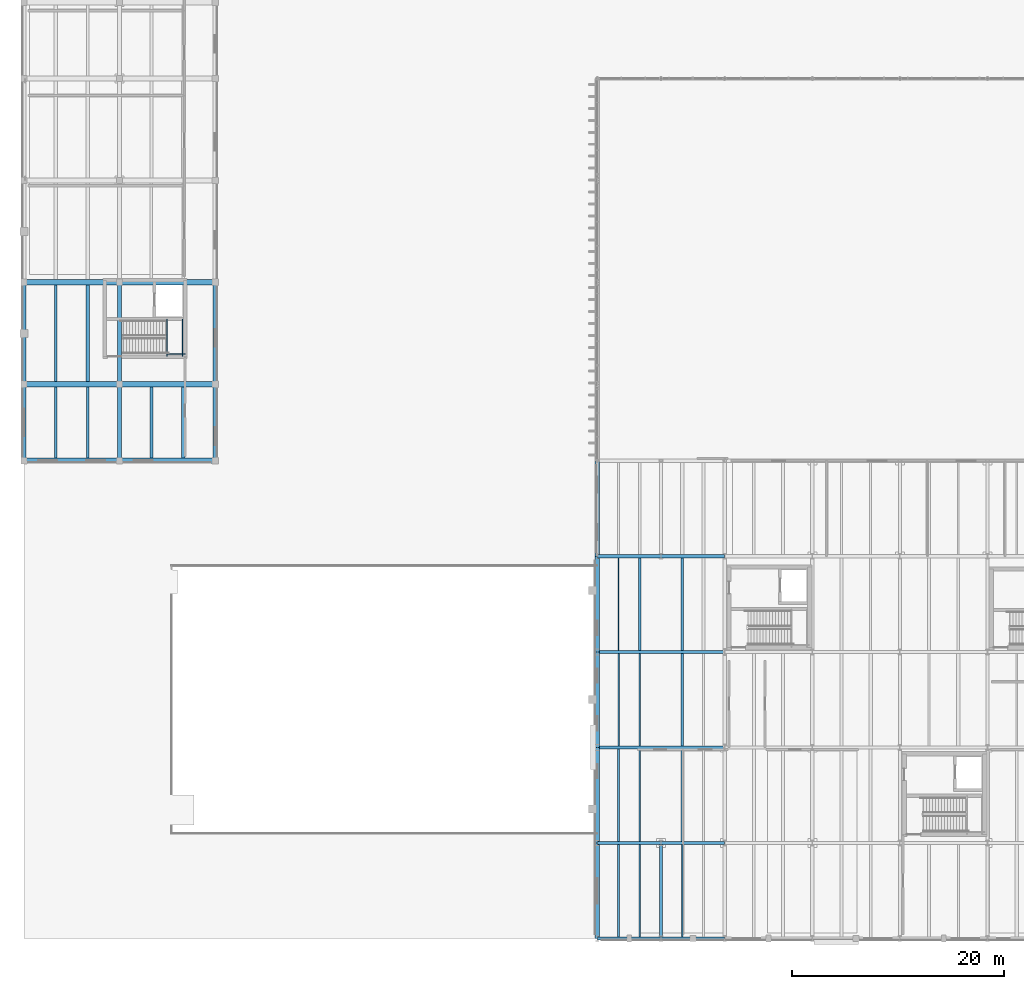
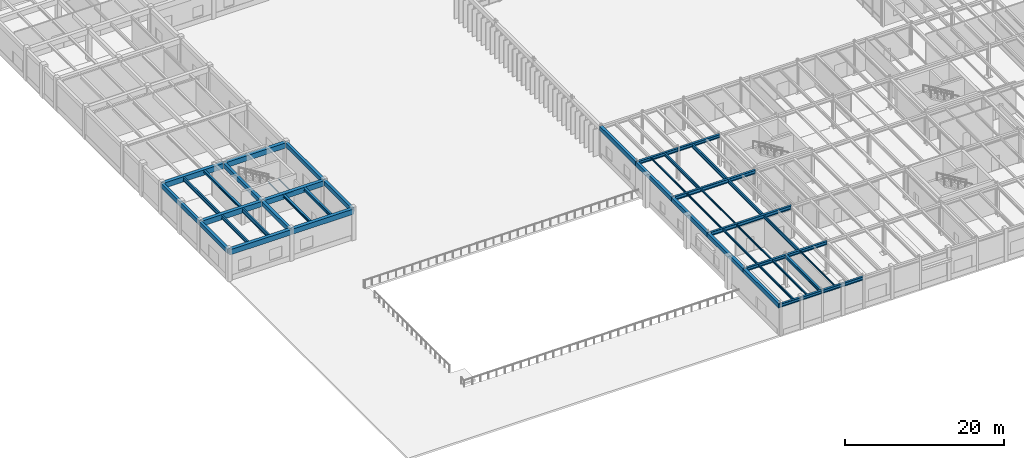
# One storey, part 17 of 64: 47 beams.
"""IFC4 building model written with IfcOpenShell, lengths in metres."""

from ifc_helpers import new_model, si_unit, direction, frame, origin, origin_2d, place, context, subcontext, project, spatial, rectangle, i_section, extrude, material, material_profile, profile_set, type_object, element, save


model = new_model("IFC4")

# Units and contexts
model_context = context("Model", 3, precision=1e-05, world=origin(), true_north=direction((0.0, 1.0)))
body_context = subcontext(model_context, "Body", "Model", "MODEL_VIEW")
ifc_project = project(units=[si_unit("LENGTHUNIT", "METRE"), si_unit("AREAUNIT", "SQUARE_METRE"), si_unit("VOLUMEUNIT", "CUBIC_METRE"), si_unit("PLANEANGLEUNIT", "RADIAN"), si_unit("MASSUNIT", "GRAM", prefix="KILO")], contexts=[model_context])

# Site, building, storey
site_placement = place(None, origin())
site = spatial("IfcSite", under=ifc_project, at=site_placement, CompositionType="ELEMENT")
building_placement = place(site_placement, origin())
building = spatial("IfcBuilding", under=site, at=building_placement, Name="Montealbar Specialist Clinic", CompositionType="ELEMENT")
storey_placement = place(building_placement, origin())
storey = spatial("IfcBuildingStorey", under=building, at=storey_placement, Name="L00", CompositionType="ELEMENT", Elevation=0.0)

# Beams
ifc_material_1 = material(Name="Steel S355", Category="steel")
ifc_material_profile_1 = material_profile(ifc_material_1, i_section(OverallWidth=0.300048828125, OverallDepth=0.5, WebThickness=0.014404296875, FlangeThickness=0.028076171875, FilletRadius=0.027099609375, at=origin_2d()), Name="HEB 500", Category="steel")
ifc_profile_set_1 = profile_set([ifc_material_profile_1], Name="Steel S355")
beam_type_1 = type_object("IfcBeamType", Name="BM-GIRD-HEB500", PredefinedType="BEAM", material=ifc_profile_set_1)
for number, where, z_axis, x_axis, name in (
    (1, (54.0, 9.0, 4.56005859375), (1.0, 0.0, 0.0), (0.0, 1.0, 0.0), "Beam GX-L00-540-600-90"),
    (2, (60.0, 9.0, 4.56005859375), (1.0, 0.0, 0.0), (0.0, 1.0, 0.0), "Beam GX-L00-600-660-90"),
    (3, (54.0, 36.0, 4.56005859375), (1.0, 0.0, 0.0), (0.0, 1.0, 0.0), "Beam GX-L00-540-600-360"),
    (4, (60.0, 36.0, 4.56005859375), (1.0, 0.0, 0.0), (0.0, 1.0, 0.0), "Beam GX-L00-600-660-360"),
):
    element("IfcBeam", number, at=place(storey_placement, frame(where, z_axis=z_axis, x_axis=x_axis)), inside=storey, type_object=beam_type_1, Name=name, PredefinedType="BEAM", context=body_context, shape_type="SweptSolid", body=[
        extrude(i_section(OverallWidth=0.300048828125, OverallDepth=0.5, WebThickness=0.014404296875, FlangeThickness=0.028076171875, FilletRadius=0.027099609375, at=origin_2d()), origin(), (0.0, 0.0, 1.0), 6.0),
    ])
beam_1_placement = place(storey_placement, frame((60.0, 0.0, 4.56005859375), z_axis=(0.0, 1.0, 0.0), x_axis=(-1.0, 0.0, 0.0)))
element("IfcBeam", 5, at=beam_1_placement, inside=storey, type_object=beam_type_1, Name="Beam GY-L00-600-0-90", PredefinedType="BEAM", context=body_context, shape_type="SweptSolid", body=[
    extrude(i_section(OverallWidth=0.300048828125, OverallDepth=0.5, WebThickness=0.014404296875, FlangeThickness=0.028076171875, FilletRadius=0.027099609375, at=origin_2d()), origin(), (0.0, 0.0, 1.0), 9.0),
])
ifc_material_profile_2 = material_profile(ifc_material_1, i_section(OverallWidth=0.300048828125, OverallDepth=0.5, WebThickness=0.014404296875, FlangeThickness=0.028076171875, FilletRadius=0.027099609375, at=origin_2d()), Name="HEB 500", Category="steel")
ifc_profile_set_2 = profile_set([ifc_material_profile_2], Name="Steel S355")
beam_type_2 = type_object("IfcBeamType", Name="BM-GIRD-HEB500-EXT", PredefinedType="BEAM", material=ifc_profile_set_2)
for number, where, z_axis, x_axis, name in (
    (6, (54.0, 0.0, 4.56005859375), (1.0, 0.0, 0.0), (0.0, 1.0, 0.0), "Beam GX-L00-540-600-0"),
    (7, (60.0, 0.0, 4.56005859375), (1.0, 0.0, 0.0), (0.0, 1.0, 0.0), "Beam GX-L00-600-660-0"),
):
    element("IfcBeam", number, at=place(storey_placement, frame(where, z_axis=z_axis, x_axis=x_axis)), inside=storey, type_object=beam_type_2, Name=name, PredefinedType="BEAM", context=body_context, shape_type="SweptSolid", body=[
        extrude(i_section(OverallWidth=0.300048828125, OverallDepth=0.5, WebThickness=0.014404296875, FlangeThickness=0.028076171875, FilletRadius=0.027099609375, at=origin_2d()), origin(), (0.0, 0.0, 1.0), 6.0),
    ])
ifc_material_profile_3 = material_profile(ifc_material_1, i_section(OverallWidth=0.300048828125, OverallDepth=0.550048828125, WebThickness=0.014892578125, FlangeThickness=0.029052734375, FilletRadius=0.027099609375, at=origin_2d()), Name="HEB 550", Category="steel")
ifc_profile_set_3 = profile_set([ifc_material_profile_3], Name="Steel S355")
beam_type_3 = type_object("IfcBeamType", Name="BM-GIRD-HEB550", PredefinedType="BEAM", material=ifc_profile_set_3)
for number, where, z_axis, x_axis, name in (
    (8, (54.0, 18.0, 4.534912109375), (1.0, 0.0, 0.0), (0.0, 1.0, 0.0), "Beam GX-L00-540-660-180"),
    (9, (54.0, 27.0, 4.534912109375), (1.0, 0.0, 0.0), (0.0, 1.0, 0.0), "Beam GX-L00-540-660-270"),
):
    element("IfcBeam", number, at=place(storey_placement, frame(where, z_axis=z_axis, x_axis=x_axis)), inside=storey, type_object=beam_type_3, Name=name, PredefinedType="BEAM", context=body_context, shape_type="SweptSolid", body=[
        extrude(i_section(OverallWidth=0.300048828125, OverallDepth=0.550048828125, WebThickness=0.014892578125, FlangeThickness=0.029052734375, FilletRadius=0.027099609375, at=origin_2d()), origin(), (0.0, 0.0, 1.0), 12.0),
    ])
ifc_material_profile_4 = material_profile(ifc_material_1, i_section(OverallWidth=0.300048828125, OverallDepth=0.35009765625, WebThickness=0.010009765625, FlangeThickness=0.017578125, FilletRadius=0.027099609375, at=origin_2d()), Name="HEA 360", Category="steel")
ifc_profile_set_4 = profile_set([ifc_material_profile_4], Name="Steel S355")
beam_type_4 = type_object("IfcBeamType", Name="BM-JST-HEA360", PredefinedType="JOIST", material=ifc_profile_set_4)
beam_2_placement = place(storey_placement, frame((6.0, 52.449951171875, 4.635009765625), z_axis=(0.0, 1.0, 0.0), x_axis=(-1.0, 0.0, 0.0)))
element("IfcBeam", 10, at=beam_2_placement, inside=storey, type_object=beam_type_4, Name="Beam JST-L00-60-524-616", PredefinedType="JOIST", context=body_context, shape_type="SweptSolid", body=[
    extrude(i_section(OverallWidth=0.300048828125, OverallDepth=0.35009765625, WebThickness=0.010009765625, FlangeThickness=0.017578125, FilletRadius=0.027099609375, at=origin_2d()), origin(), (0.0, 0.0, 1.0), 9.10009765625),
])
ifc_material_profile_5 = material_profile(ifc_material_1, i_section(OverallWidth=0.300048828125, OverallDepth=0.43994140625, WebThickness=0.011474609375, FlangeThickness=0.02099609375, FilletRadius=0.027099609375, at=origin_2d()), Name="HEA 450", Category="steel")
ifc_profile_set_5 = profile_set([ifc_material_profile_5], Name="Steel S355")
beam_type_5 = type_object("IfcBeamType", Name="BM-JST-HEA450", PredefinedType="JOIST", material=ifc_profile_set_5)
beam_3_placement = place(storey_placement, frame((12.0, 45.25, 4.590087890625), z_axis=(0.0, 1.0, 0.0), x_axis=(-1.0, 0.0, 0.0)))
element("IfcBeam", 11, at=beam_3_placement, inside=storey, type_object=beam_type_5, Name="Beam JST-L00-120-452-520", PredefinedType="JOIST", context=body_context, shape_type="SweptSolid", body=[
    extrude(i_section(OverallWidth=0.300048828125, OverallDepth=0.43994140625, WebThickness=0.011474609375, FlangeThickness=0.02099609375, FilletRadius=0.027099609375, at=origin_2d()), origin(), (0.0, 0.0, 1.0), 6.699951171875),
])
ifc_material_profile_6 = material_profile(ifc_material_1, i_section(OverallWidth=0.300048828125, OverallDepth=0.489990234375, WebThickness=0.011962890625, FlangeThickness=0.02294921875, FilletRadius=0.027099609375, at=origin_2d()), Name="HEA 500", Category="steel")
ifc_profile_set_6 = profile_set([ifc_material_profile_6], Name="Steel S355")
beam_type_6 = type_object("IfcBeamType", Name="BM-JST-HEA500", PredefinedType="JOIST", material=ifc_profile_set_6)
beam_4_placement = place(storey_placement, frame((15.0, 45.25, 4.56494140625), z_axis=(0.0, 1.0, 0.0), x_axis=(-1.0, 0.0, 0.0)))
element("IfcBeam", 12, at=beam_4_placement, inside=storey, type_object=beam_type_6, Name="Beam JST-L00-150-452-520", PredefinedType="JOIST", context=body_context, shape_type="SweptSolid", body=[
    extrude(i_section(OverallWidth=0.300048828125, OverallDepth=0.489990234375, WebThickness=0.011962890625, FlangeThickness=0.02294921875, FilletRadius=0.027099609375, at=origin_2d()), origin(), (0.0, 0.0, 1.0), 6.699951171875),
])
ifc_material_profile_7 = material_profile(ifc_material_1, i_section(OverallWidth=0.1201171875, OverallDepth=0.239990234375, WebThickness=0.006103515625, FlangeThickness=0.009765625, FilletRadius=0.014892578125, at=origin_2d()), Name="IPE 240", Category="steel")
ifc_profile_set_7 = profile_set([ifc_material_profile_7], Name="Steel S355")
beam_type_7 = type_object("IfcBeamType", Name="BM-JST-IPE240", PredefinedType="JOIST", material=ifc_profile_set_7)
for number, where, z_axis, x_axis, name in (
    (13, (58.0, 18.14990234375, 4.68994140625), (0.0, 1.0, 0.0), (-1.0, 0.0, 0.0), "Beam JST-L00-580-182-268"),
    (14, (56.0, 27.14990234375, 4.68994140625), (0.0, 1.0, 0.0), (-1.0, 0.0, 0.0), "Beam JST-L00-560-272-358"),
    (15, (62.0, 0.14990234375, 4.68994140625), (0.0, 1.0, 0.0), (-1.0, 0.0, 0.0), "Beam JST-L00-620-2-88"),
):
    element("IfcBeam", number, at=place(storey_placement, frame(where, z_axis=z_axis, x_axis=x_axis)), inside=storey, type_object=beam_type_7, Name=name, PredefinedType="JOIST", context=body_context, shape_type="SweptSolid", body=[
        extrude(i_section(OverallWidth=0.1201171875, OverallDepth=0.239990234375, WebThickness=0.006103515625, FlangeThickness=0.009765625, FilletRadius=0.014892578125, at=origin_2d()), origin(), (0.0, 0.0, 1.0), 8.7001953125),
    ])
ifc_material_profile_8 = material_profile(ifc_material_1, i_section(OverallWidth=0.135009765625, OverallDepth=0.27001953125, WebThickness=0.006591796875, FlangeThickness=0.01025390625, FilletRadius=0.014892578125, at=origin_2d()), Name="IPE 270", Category="steel")
ifc_profile_set_8 = profile_set([ifc_material_profile_8], Name="Steel S355")
beam_type_8 = type_object("IfcBeamType", Name="BM-JST-IPE270", PredefinedType="JOIST", material=ifc_profile_set_8)
for number, where, z_axis, x_axis, name in (
    (16, (58.0, 9.14990234375, 4.675048828125), (0.0, 1.0, 0.0), (-1.0, 0.0, 0.0), "Beam JST-L00-580-92-178"),
    (17, (56.0, 18.14990234375, 4.675048828125), (0.0, 1.0, 0.0), (-1.0, 0.0, 0.0), "Beam JST-L00-560-182-268"),
):
    element("IfcBeam", number, at=place(storey_placement, frame(where, z_axis=z_axis, x_axis=x_axis)), inside=storey, type_object=beam_type_8, Name=name, PredefinedType="JOIST", context=body_context, shape_type="SweptSolid", body=[
        extrude(i_section(OverallWidth=0.135009765625, OverallDepth=0.27001953125, WebThickness=0.006591796875, FlangeThickness=0.01025390625, FilletRadius=0.014892578125, at=origin_2d()), origin(), (0.0, 0.0, 1.0), 8.7001953125),
    ])
ifc_material_profile_9 = material_profile(ifc_material_1, i_section(OverallWidth=0.14990234375, OverallDepth=0.300048828125, WebThickness=0.007080078125, FlangeThickness=0.0107421875, FilletRadius=0.014892578125, at=origin_2d()), Name="IPE 300", Category="steel")
ifc_profile_set_9 = profile_set([ifc_material_profile_9], Name="Steel S355")
beam_type_9 = type_object("IfcBeamType", Name="BM-JST-IPE300", PredefinedType="JOIST", material=ifc_profile_set_9)
for number, where, z_axis, x_axis, name in (
    (18, (58.0, 0.14990234375, 4.659912109375), (0.0, 1.0, 0.0), (-1.0, 0.0, 0.0), "Beam JST-L00-580-2-88"),
    (19, (56.0, 9.14990234375, 4.659912109375), (0.0, 1.0, 0.0), (-1.0, 0.0, 0.0), "Beam JST-L00-560-92-178"),
):
    element("IfcBeam", number, at=place(storey_placement, frame(where, z_axis=z_axis, x_axis=x_axis)), inside=storey, type_object=beam_type_9, Name=name, PredefinedType="JOIST", context=body_context, shape_type="SweptSolid", body=[
        extrude(i_section(OverallWidth=0.14990234375, OverallDepth=0.300048828125, WebThickness=0.007080078125, FlangeThickness=0.0107421875, FilletRadius=0.014892578125, at=origin_2d()), origin(), (0.0, 0.0, 1.0), 8.7001953125),
    ])
ifc_material_profile_10 = material_profile(ifc_material_1, i_section(OverallWidth=0.159912109375, OverallDepth=0.330078125, WebThickness=0.007568359375, FlangeThickness=0.011474609375, FilletRadius=0.01806640625, at=origin_2d()), Name="IPE 330", Category="steel")
ifc_profile_set_10 = profile_set([ifc_material_profile_10], Name="Steel S355")
beam_type_10 = type_object("IfcBeamType", Name="BM-JST-IPE330", PredefinedType="JOIST", material=ifc_profile_set_10)
beam_5_placement = place(storey_placement, frame((56.0, 0.14990234375, 4.64501953125), z_axis=(0.0, 1.0, 0.0), x_axis=(-1.0, 0.0, 0.0)))
element("IfcBeam", 20, at=beam_5_placement, inside=storey, type_object=beam_type_10, Name="Beam JST-L00-560-2-88", PredefinedType="JOIST", context=body_context, shape_type="SweptSolid", body=[
    extrude(i_section(OverallWidth=0.159912109375, OverallDepth=0.330078125, WebThickness=0.007568359375, FlangeThickness=0.011474609375, FilletRadius=0.01806640625, at=origin_2d()), origin(), (0.0, 0.0, 1.0), 8.7001953125),
])
ifc_material_profile_11 = material_profile(ifc_material_1, i_section(OverallWidth=0.199951171875, OverallDepth=0.5, WebThickness=0.01025390625, FlangeThickness=0.01611328125, FilletRadius=0.02099609375, at=origin_2d()), Name="IPE 500", Category="steel")
ifc_profile_set_11 = profile_set([ifc_material_profile_11], Name="Steel S355")
beam_type_11 = type_object("IfcBeamType", Name="BM-JST-IPE500", PredefinedType="JOIST", material=ifc_profile_set_11)
for number, where, z_axis, x_axis, name in (
    (21, (58.0, 27.14990234375, 4.56005859375), (0.0, 1.0, 0.0), (-1.0, 0.0, 0.0), "Beam JST-L00-580-272-358"),
    (22, (62.0, 9.14990234375, 4.56005859375), (0.0, 1.0, 0.0), (-1.0, 0.0, 0.0), "Beam JST-L00-620-92-178"),
):
    element("IfcBeam", number, at=place(storey_placement, frame(where, z_axis=z_axis, x_axis=x_axis)), inside=storey, type_object=beam_type_11, Name=name, PredefinedType="JOIST", context=body_context, shape_type="SweptSolid", body=[
        extrude(i_section(OverallWidth=0.199951171875, OverallDepth=0.5, WebThickness=0.01025390625, FlangeThickness=0.01611328125, FilletRadius=0.02099609375, at=origin_2d()), origin(), (0.0, 0.0, 1.0), 8.7001953125),
    ])
ifc_material_profile_12 = material_profile(ifc_material_1, i_section(OverallWidth=0.2099609375, OverallDepth=0.550048828125, WebThickness=0.010986328125, FlangeThickness=0.01708984375, FilletRadius=0.02392578125, at=origin_2d()), Name="IPE 550", Category="steel")
ifc_profile_set_12 = profile_set([ifc_material_profile_12], Name="Steel S355")
beam_type_12 = type_object("IfcBeamType", Name="BM-JST-IPE550", PredefinedType="JOIST", material=ifc_profile_set_12)
beam_6_placement = place(storey_placement, frame((3.0, 45.25, 4.534912109375), z_axis=(0.0, 1.0, 0.0), x_axis=(-1.0, 0.0, 0.0)))
element("IfcBeam", 23, at=beam_6_placement, inside=storey, type_object=beam_type_12, Name="Beam JST-L00-30-452-520", PredefinedType="JOIST", context=body_context, shape_type="SweptSolid", body=[
    extrude(i_section(OverallWidth=0.2099609375, OverallDepth=0.550048828125, WebThickness=0.010986328125, FlangeThickness=0.01708984375, FilletRadius=0.02392578125, at=origin_2d()), origin(), (0.0, 0.0, 1.0), 6.699951171875),
])
beam_7_placement = place(storey_placement, frame((62.0, 18.14990234375, 4.534912109375), z_axis=(0.0, 1.0, 0.0), x_axis=(-1.0, 0.0, 0.0)))
element("IfcBeam", 24, at=beam_7_placement, inside=storey, type_object=beam_type_12, Name="Beam JST-L00-620-182-268", PredefinedType="JOIST", context=body_context, shape_type="SweptSolid", body=[
    extrude(i_section(OverallWidth=0.2099609375, OverallDepth=0.550048828125, WebThickness=0.010986328125, FlangeThickness=0.01708984375, FilletRadius=0.02392578125, at=origin_2d()), origin(), (0.0, 0.0, 1.0), 8.7001953125),
])
ifc_material_profile_13 = material_profile(ifc_material_1, i_section(OverallWidth=0.219970703125, OverallDepth=0.60009765625, WebThickness=0.011962890625, FlangeThickness=0.01904296875, FilletRadius=0.02392578125, at=origin_2d()), Name="IPE 600", Category="steel")
ifc_profile_set_13 = profile_set([ifc_material_profile_13], Name="Steel S355")
beam_type_13 = type_object("IfcBeamType", Name="BM-JST-IPE600", PredefinedType="JOIST", material=ifc_profile_set_13)
beam_8_placement = place(storey_placement, frame((6.0, 45.25, 4.510009765625), z_axis=(0.0, 1.0, 0.0), x_axis=(-1.0, 0.0, 0.0)))
element("IfcBeam", 25, at=beam_8_placement, inside=storey, type_object=beam_type_13, Name="Beam JST-L00-60-452-520", PredefinedType="JOIST", context=body_context, shape_type="SweptSolid", body=[
    extrude(i_section(OverallWidth=0.219970703125, OverallDepth=0.60009765625, WebThickness=0.011962890625, FlangeThickness=0.01904296875, FilletRadius=0.02392578125, at=origin_2d()), origin(), (0.0, 0.0, 1.0), 6.699951171875),
])
beam_9_placement = place(storey_placement, frame((3.0, 52.449951171875, 4.510009765625), z_axis=(0.0, 1.0, 0.0), x_axis=(-1.0, 0.0, 0.0)))
element("IfcBeam", 26, at=beam_9_placement, inside=storey, type_object=beam_type_13, Name="Beam JST-L00-30-524-616", PredefinedType="JOIST", context=body_context, shape_type="SweptSolid", body=[
    extrude(i_section(OverallWidth=0.219970703125, OverallDepth=0.60009765625, WebThickness=0.011962890625, FlangeThickness=0.01904296875, FilletRadius=0.02392578125, at=origin_2d()), origin(), (0.0, 0.0, 1.0), 9.10009765625),
])
beam_10_placement = place(storey_placement, frame((62.0, 27.14990234375, 4.510009765625), z_axis=(0.0, 1.0, 0.0), x_axis=(-1.0, 0.0, 0.0)))
element("IfcBeam", 27, at=beam_10_placement, inside=storey, type_object=beam_type_13, Name="Beam JST-L00-620-272-358", PredefinedType="JOIST", context=body_context, shape_type="SweptSolid", body=[
    extrude(i_section(OverallWidth=0.219970703125, OverallDepth=0.60009765625, WebThickness=0.011962890625, FlangeThickness=0.01904296875, FilletRadius=0.02392578125, at=origin_2d()), origin(), (0.0, 0.0, 1.0), 8.7001953125),
])
ifc_material_profile_14 = material_profile(ifc_material_1, i_section(OverallWidth=0.10009765625, OverallDepth=0.199951171875, WebThickness=0.005615234375, FlangeThickness=0.008544921875, FilletRadius=0.011962890625, at=origin_2d()), Name="IPE 200", Category="steel")
ifc_profile_set_14 = profile_set([ifc_material_profile_14], Name="Steel S355")
beam_type_14 = type_object("IfcBeamType", Name="BM-LINT-IPE200", PredefinedType="LINTEL", material=ifc_profile_set_14)
for number, where, z_axis, x_axis, name in (
    (28, (13.4599609375, 54.800048828125, 2.25), (0.0, 1.0, 0.0), (-1.0, 0.0, 0.0), "Core C1 Stair Landing Beam L00 W"),
    (29, (14.929931640625, 54.800048828125, 2.25), (0.0, 1.0, 0.0), (-1.0, 0.0, 0.0), "Core C1 Stair Landing Beam L00 E"),
):
    element("IfcBeam", number, at=place(storey_placement, frame(where, z_axis=z_axis, x_axis=x_axis)), inside=storey, type_object=beam_type_14, Name=name, PredefinedType="LINTEL", context=body_context, shape_type="SweptSolid", body=[
        extrude(i_section(OverallWidth=0.10009765625, OverallDepth=0.199951171875, WebThickness=0.005615234375, FlangeThickness=0.008544921875, FilletRadius=0.011962890625, at=origin_2d()), origin(), (0.0, 0.0, 1.0), 3.550048828125),
    ])
beam_11_placement = place(storey_placement, frame((13.4599609375, 55.050048828125, 2.25), z_axis=(1.0, 0.0, 0.0), x_axis=(0.0, 1.0, 0.0)))
element("IfcBeam", 30, at=beam_11_placement, inside=storey, type_object=beam_type_14, Name="Core C1 Stair Landing Tie Beam L00", PredefinedType="LINTEL", context=body_context, shape_type="SweptSolid", body=[
    extrude(i_section(OverallWidth=0.10009765625, OverallDepth=0.199951171875, WebThickness=0.005615234375, FlangeThickness=0.008544921875, FilletRadius=0.011962890625, at=origin_2d()), origin(), (0.0, 0.0, 1.0), 1.739990234375),
])
ifc_material_2 = material(Name="Concrete C35/45", Category="concrete")
ifc_material_profile_15 = material_profile(ifc_material_2, rectangle(XDim=0.39990234375, YDim=0.64990234375, at=origin_2d()), Name="RC 400x650", Category="concrete")
ifc_profile_set_15 = profile_set([ifc_material_profile_15], Name="Concrete C35/45")
beam_type_15 = type_object("IfcBeamType", Name="BM-RC-400x650", PredefinedType="BEAM", material=ifc_profile_set_15)
beam_12_placement = place(storey_placement, frame((9.0, 45.0, 4.485107421875), z_axis=(0.0, 1.0, 0.0), x_axis=(-1.0, 0.0, 0.0)))
element("IfcBeam", 31, at=beam_12_placement, inside=storey, type_object=beam_type_15, Name="Beam GY-L00-90-450-522", PredefinedType="BEAM", context=body_context, shape_type="SweptSolid", body=[
    extrude(rectangle(XDim=0.39990234375, YDim=0.64990234375, at=origin_2d()), origin(), (0.0, 0.0, 1.0), 7.199951171875),
])
beam_13_placement = place(storey_placement, frame((9.0, 52.199951171875, 4.485107421875), z_axis=(0.0, 1.0, 0.0), x_axis=(-1.0, 0.0, 0.0)))
element("IfcBeam", 32, at=beam_13_placement, inside=storey, type_object=beam_type_15, Name="Beam GY-L00-90-522-618", PredefinedType="BEAM", context=body_context, shape_type="SweptSolid", body=[
    extrude(rectangle(XDim=0.39990234375, YDim=0.64990234375, at=origin_2d()), origin(), (0.0, 0.0, 1.0), 9.60009765625),
])
ifc_material_profile_16 = material_profile(ifc_material_2, rectangle(XDim=0.39990234375, YDim=0.64990234375, at=origin_2d()), Name="RC 400x650", Category="concrete")
ifc_profile_set_16 = profile_set([ifc_material_profile_16], Name="Concrete C35/45")
beam_type_16 = type_object("IfcBeamType", Name="BM-RC-400x650-EXT", PredefinedType="BEAM", material=ifc_profile_set_16)
beam_14_placement = place(storey_placement, frame((0.0, 45.0, 4.485107421875), z_axis=(0.0, 1.0, 0.0), x_axis=(-1.0, 0.0, 0.0)))
element("IfcBeam", 33, at=beam_14_placement, inside=storey, type_object=beam_type_16, Name="Beam GY-L00-0-450-522", PredefinedType="BEAM", context=body_context, shape_type="SweptSolid", body=[
    extrude(rectangle(XDim=0.39990234375, YDim=0.64990234375, at=origin_2d()), origin(), (0.0, 0.0, 1.0), 7.199951171875),
])
beam_15_placement = place(storey_placement, frame((0.0, 52.199951171875, 4.485107421875), z_axis=(0.0, 1.0, 0.0), x_axis=(-1.0, 0.0, 0.0)))
element("IfcBeam", 34, at=beam_15_placement, inside=storey, type_object=beam_type_16, Name="Beam GY-L00-0-522-618", PredefinedType="BEAM", context=body_context, shape_type="SweptSolid", body=[
    extrude(rectangle(XDim=0.39990234375, YDim=0.64990234375, at=origin_2d()), origin(), (0.0, 0.0, 1.0), 9.60009765625),
])
beam_16_placement = place(storey_placement, frame((18.0, 45.0, 4.485107421875), z_axis=(0.0, 1.0, 0.0), x_axis=(-1.0, 0.0, 0.0)))
element("IfcBeam", 35, at=beam_16_placement, inside=storey, type_object=beam_type_16, Name="Beam GY-L00-180-450-522", PredefinedType="BEAM", context=body_context, shape_type="SweptSolid", body=[
    extrude(rectangle(XDim=0.39990234375, YDim=0.64990234375, at=origin_2d()), origin(), (0.0, 0.0, 1.0), 7.199951171875),
])
beam_17_placement = place(storey_placement, frame((18.0, 52.199951171875, 4.485107421875), z_axis=(0.0, 1.0, 0.0), x_axis=(-1.0, 0.0, 0.0)))
element("IfcBeam", 36, at=beam_17_placement, inside=storey, type_object=beam_type_16, Name="Beam GY-L00-180-522-618", PredefinedType="BEAM", context=body_context, shape_type="SweptSolid", body=[
    extrude(rectangle(XDim=0.39990234375, YDim=0.64990234375, at=origin_2d()), origin(), (0.0, 0.0, 1.0), 9.60009765625),
])
for number, where, z_axis, x_axis, name in (
    (37, (54.0, 0.0, 4.485107421875), (0.0, 1.0, 0.0), (-1.0, 0.0, 0.0), "Beam GY-L00-540-0-90"),
    (38, (54.0, 9.0, 4.485107421875), (0.0, 1.0, 0.0), (-1.0, 0.0, 0.0), "Beam GY-L00-540-90-180"),
    (39, (54.0, 18.0, 4.485107421875), (0.0, 1.0, 0.0), (-1.0, 0.0, 0.0), "Beam GY-L00-540-180-270"),
    (40, (54.0, 27.0, 4.485107421875), (0.0, 1.0, 0.0), (-1.0, 0.0, 0.0), "Beam GY-L00-540-270-360"),
    (41, (54.0, 36.0, 4.485107421875), (0.0, 1.0, 0.0), (-1.0, 0.0, 0.0), "Beam GY-L00-540-360-450"),
):
    element("IfcBeam", number, at=place(storey_placement, frame(where, z_axis=z_axis, x_axis=x_axis)), inside=storey, type_object=beam_type_16, Name=name, PredefinedType="BEAM", context=body_context, shape_type="SweptSolid", body=[
        extrude(rectangle(XDim=0.39990234375, YDim=0.64990234375, at=origin_2d()), origin(), (0.0, 0.0, 1.0), 9.0),
    ])
ifc_material_profile_17 = material_profile(ifc_material_2, rectangle(XDim=0.5, YDim=0.800048828125, at=origin_2d()), Name="RC 500x800", Category="concrete")
ifc_profile_set_17 = profile_set([ifc_material_profile_17], Name="Concrete C35/45")
beam_type_17 = type_object("IfcBeamType", Name="BM-RC-500x800", PredefinedType="BEAM", material=ifc_profile_set_17)
for number, where, z_axis, x_axis, name in (
    (42, (0.0, 52.199951171875, 4.409912109375), (1.0, 0.0, 0.0), (0.0, 1.0, 0.0), "Beam GX-L00-0-90-522"),
    (43, (9.0, 52.199951171875, 4.409912109375), (1.0, 0.0, 0.0), (0.0, 1.0, 0.0), "Beam GX-L00-90-180-522"),
    (44, (0.0, 61.800048828125, 4.409912109375), (1.0, 0.0, 0.0), (0.0, 1.0, 0.0), "Beam GX-L00-0-90-618"),
    (45, (9.0, 61.800048828125, 4.409912109375), (1.0, 0.0, 0.0), (0.0, 1.0, 0.0), "Beam GX-L00-90-180-618"),
):
    element("IfcBeam", number, at=place(storey_placement, frame(where, z_axis=z_axis, x_axis=x_axis)), inside=storey, type_object=beam_type_17, Name=name, PredefinedType="BEAM", context=body_context, shape_type="SweptSolid", body=[
        extrude(rectangle(XDim=0.5, YDim=0.800048828125, at=origin_2d()), origin(), (0.0, 0.0, 1.0), 9.0),
    ])
ifc_material_profile_18 = material_profile(ifc_material_2, rectangle(XDim=0.5, YDim=0.800048828125, at=origin_2d()), Name="RC 500x800", Category="concrete")
ifc_profile_set_18 = profile_set([ifc_material_profile_18], Name="Concrete C35/45")
beam_type_18 = type_object("IfcBeamType", Name="BM-RC-500x800-EXT", PredefinedType="BEAM", material=ifc_profile_set_18)
for number, where, z_axis, x_axis, name in (
    (46, (0.0, 45.0, 4.409912109375), (1.0, 0.0, 0.0), (0.0, 1.0, 0.0), "Beam GX-L00-0-90-450"),
    (47, (9.0, 45.0, 4.409912109375), (1.0, 0.0, 0.0), (0.0, 1.0, 0.0), "Beam GX-L00-90-180-450"),
):
    element("IfcBeam", number, at=place(storey_placement, frame(where, z_axis=z_axis, x_axis=x_axis)), inside=storey, type_object=beam_type_18, Name=name, PredefinedType="BEAM", context=body_context, shape_type="SweptSolid", body=[
        extrude(rectangle(XDim=0.5, YDim=0.800048828125, at=origin_2d()), origin(), (0.0, 0.0, 1.0), 9.0),
    ])

save(model, "model.ifc")
